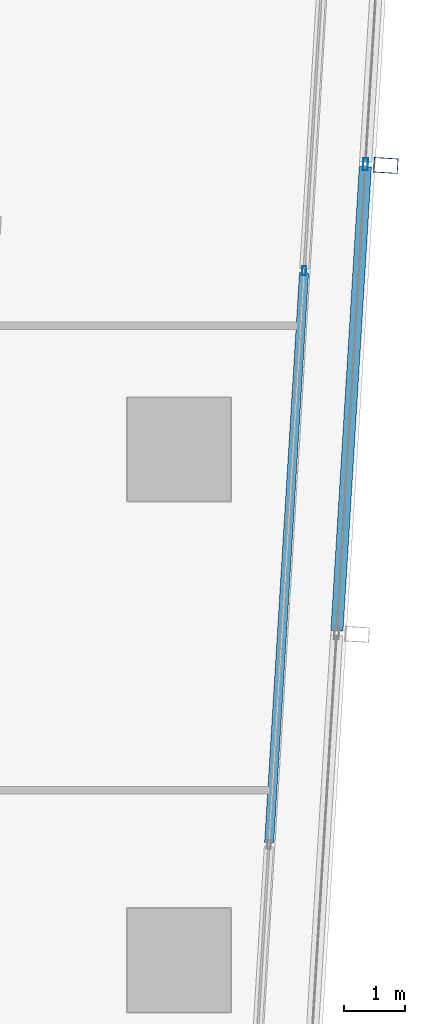
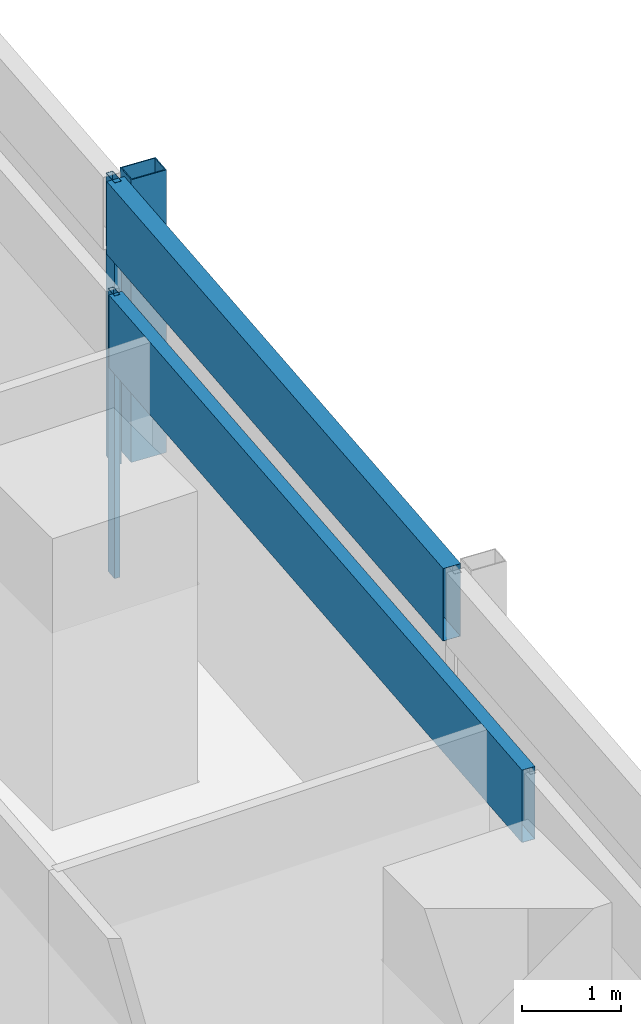
# One storey, part 24 of 40: 5 members, 2 elements without a shape of their own.
"""IFC4 building model written with IfcOpenShell, lengths in metres."""

from ifc_helpers import new_model, si_unit, direction, frame, origin, origin_2d, place, context, subcontext, project, spatial, hollow_rectangle, extrude, material, material_profile, profile_set, type_object, element, aggregate, save


model = new_model("IFC4")

# Units and contexts
model_context = context("Model", 3, precision=1e-05, world=origin(), true_north=direction((0.0, 1.0)))
body_context = subcontext(model_context, "Body", "Model", "MODEL_VIEW")
ifc_project = project(units=[si_unit("LENGTHUNIT", "METRE"), si_unit("AREAUNIT", "SQUARE_METRE"), si_unit("VOLUMEUNIT", "CUBIC_METRE"), si_unit("PLANEANGLEUNIT", "RADIAN"), si_unit("MASSUNIT", "GRAM", prefix="KILO")], contexts=[model_context])

# Site, building, storey
site_placement = place(None, origin())
site = spatial("IfcSite", under=ifc_project, at=site_placement, CompositionType="ELEMENT")
building_placement = place(site_placement, origin())
building = spatial("IfcBuilding", under=site, at=building_placement, Name="Rekha Terrace Tower", CompositionType="ELEMENT")
storey_placement = place(building_placement, frame((0.0, 0.0, 132.800048828125)))
storey = spatial("IfcBuildingStorey", under=building, at=storey_placement, Name="L33", CompositionType="ELEMENT", Elevation=132.800048828125)

# Curtain wall, member
ifc_material_1 = material(Name="Aluminium framing", Category="aluminium")
curtain_wall_type_1 = type_object("IfcCurtainWallType", Name="CW2 double skin outer glazing", PredefinedType="USERDEFINED", material=ifc_material_1)
curtain_wall_1_placement = place(storey_placement, origin())
curtain_wall_1 = element("IfcCurtainWall", 1, at=curtain_wall_1_placement, inside=storey, type_object=curtain_wall_type_1, Name="CW2 double skin outer glazing", ObjectType="DOUBLE SKIN OUTER GLAZING", PredefinedType="USERDEFINED")
ifc_material_2 = material(Name="Steel S355 with fluorocarbon finish", Category="steel")
ifc_material_profile_1 = material_profile(ifc_material_2, hollow_rectangle(XDim=0.25, YDim=0.39990234375, WallThickness=0.012451171875, at=origin_2d()), Name="RHS400x250x12.5")
ifc_profile_set_1 = profile_set([ifc_material_profile_1], Name="Steel S355 with fluorocarbon finish")
member_type_1 = type_object("IfcMemberType", Name="BL1 facade blade RHS 400 x 250", PredefinedType="USERDEFINED", material=ifc_profile_set_1)
member_1_placement = place(storey_placement, frame((70.601318359375, 38.27001953125, 0.0), z_axis=(0.0, 0.0, 1.0), x_axis=(0.061160031881, 0.998127973008, 0.0)))
member_1 = element("IfcMember", 2, at=member_1_placement, type_object=member_type_1, Name="Facade blade", ObjectType="FACADE BLADE", PredefinedType="USERDEFINED", context=body_context, shape_type="SweptSolid", body=[
    extrude(hollow_rectangle(XDim=0.25, YDim=0.39990234375, WallThickness=0.012451171875, at=origin_2d()), origin(), (0.0, 0.0, 1.0), 3.5),
])

# Curtain wall, members
curtain_wall_type_2 = type_object("IfcCurtainWallType", Name="CW1 double skin inner glazing", PredefinedType="USERDEFINED", material=ifc_material_1)
curtain_wall_2_placement = place(storey_placement, origin())
curtain_wall_2 = element("IfcCurtainWall", 3, at=curtain_wall_2_placement, inside=storey, type_object=curtain_wall_type_2, Name="CW1 double skin inner glazing", ObjectType="DOUBLE SKIN INNER GLAZING", PredefinedType="USERDEFINED")
ifc_material_3 = material(Name="Aluminium mullion section", Category="aluminium")
ifc_material_profile_2 = material_profile(ifc_material_3, hollow_rectangle(XDim=0.06494140625, YDim=0.14990234375, WallThickness=0.00390625, at=origin_2d()), Name="AL RHS 65x150")
ifc_profile_set_2 = profile_set([ifc_material_profile_2], Name="Aluminium mullion section")
member_type_2 = type_object("IfcMemberType", Name="CW1 mullion RHS 65 x 150", PredefinedType="MULLION", material=ifc_profile_set_2)
member_2_placement = place(storey_placement, frame((69.257568359375, 36.53662109375, 0.0), z_axis=(0.0, 0.0, 1.0), x_axis=(-0.998127987024, 0.061159803131, 0.0)))
member_2 = element("IfcMember", 4, at=member_2_placement, type_object=member_type_2, Name="CW1 mullion 3", PredefinedType="MULLION", context=body_context, shape_type="SweptSolid", body=[
    extrude(hollow_rectangle(XDim=0.06494140625, YDim=0.14990234375, WallThickness=0.00390625, at=origin_2d()), origin(), (0.0, 0.0, 1.0), 3.5),
])
ifc_material_4 = material(Name="Insulated aluminium spandrel box", Category="aluminium")
ifc_material_profile_3 = material_profile(ifc_material_4, hollow_rectangle(XDim=0.14990234375, YDim=0.89990234375, WallThickness=0.0029296875, at=origin_2d()), Name="AL SPANDREL BOX 150x900")
ifc_profile_set_3 = profile_set([ifc_material_profile_3], Name="Insulated aluminium spandrel box")
member_type_3 = type_object("IfcMemberType", Name="CW1 spandrel transom 150 x 900", PredefinedType="USERDEFINED", material=ifc_profile_set_3)
member_3_placement = place(storey_placement, frame((68.681640625, 27.13427734375, 3.050048828125), z_axis=(0.061141260248, 0.998129123057, 0.0), x_axis=(-0.998129123057, 0.061141260248, 0.0)))
member_3 = element("IfcMember", 5, at=member_3_placement, type_object=member_type_3, Name="CW1 spandrel transom 2", ObjectType="TRANSOM", PredefinedType="USERDEFINED", context=body_context, shape_type="SweptSolid", body=[
    extrude(hollow_rectangle(XDim=0.14990234375, YDim=0.89990234375, WallThickness=0.0029296875, at=origin_2d()), origin(), (0.0, 0.0, 1.0), 9.3876953125),
])
aggregate(curtain_wall_2, [member_2, member_3])

# Member
ifc_material_profile_4 = material_profile(ifc_material_3, hollow_rectangle(XDim=0.080078125, YDim=0.199951171875, WallThickness=0.00390625, at=origin_2d()), Name="AL RHS 80x200")
ifc_profile_set_4 = profile_set([ifc_material_profile_4], Name="Aluminium mullion section")
member_type_4 = type_object("IfcMemberType", Name="CW2 mullion RHS 80 x 200", PredefinedType="MULLION", material=ifc_profile_set_4)
member_4_placement = place(storey_placement, frame((70.266845703125, 38.29052734375, 0.0), z_axis=(0.0, 0.0, 1.0), x_axis=(-0.998127987024, 0.061159803131, 0.0)))
member_4 = element("IfcMember", 6, at=member_4_placement, type_object=member_type_4, Name="CW2 mullion 4", PredefinedType="MULLION", context=body_context, shape_type="SweptSolid", body=[
    extrude(hollow_rectangle(XDim=0.080078125, YDim=0.199951171875, WallThickness=0.00390625, at=origin_2d()), origin(), (0.0, 0.0, 1.0), 3.5),
])

ifc_material_profile_5 = material_profile(ifc_material_4, hollow_rectangle(XDim=0.199951171875, YDim=0.89990234375, WallThickness=0.0029296875, at=origin_2d()), Name="AL SPANDREL BOX 200x900")
ifc_profile_set_5 = profile_set([ifc_material_profile_5], Name="Insulated aluminium spandrel box")
member_type_5 = type_object("IfcMemberType", Name="CW2 spandrel transom 200 x 900", PredefinedType="USERDEFINED", material=ifc_profile_set_5)
member_5_placement = place(storey_placement, frame((69.796630859375, 30.618408203125, 3.050048828125), z_axis=(0.061175629852, 0.998127017124, 0.0), x_axis=(-0.998127017124, 0.061175629852, 0.0)))
member_5 = element("IfcMember", 7, at=member_5_placement, type_object=member_type_5, Name="CW2 spandrel transom 3", ObjectType="TRANSOM", PredefinedType="USERDEFINED", context=body_context, shape_type="SweptSolid", body=[
    extrude(hollow_rectangle(XDim=0.199951171875, YDim=0.89990234375, WallThickness=0.0029296875, at=origin_2d()), origin(), (0.0, 0.0, 1.0), 7.646484375),
])

aggregate(curtain_wall_1, [member_4, member_5, member_1])

save(model, "model.ifc")
